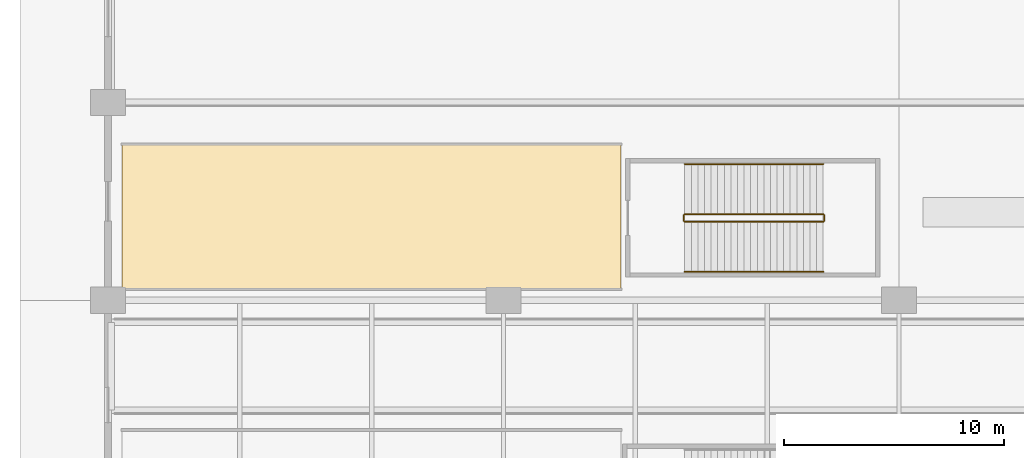
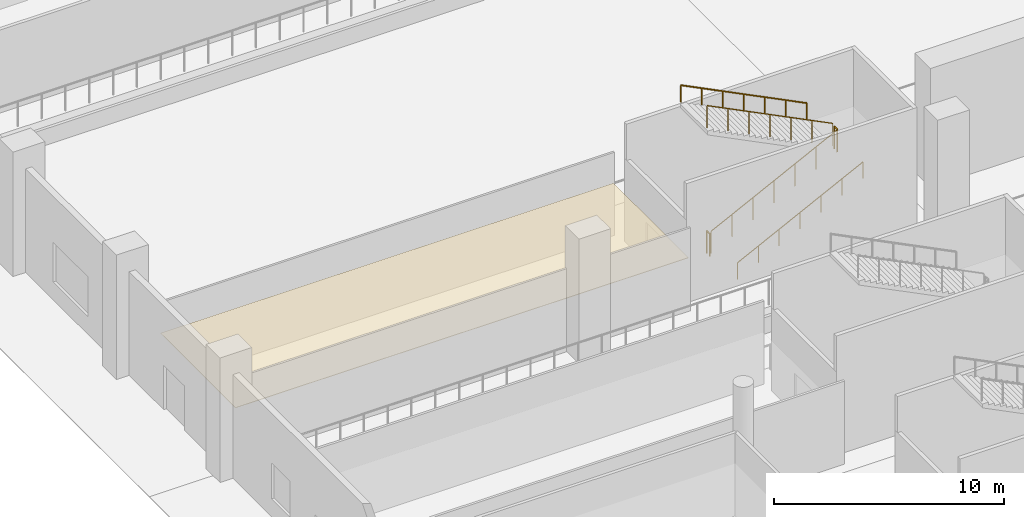
# One storey, part 43 of 65: 6 railings, 1 covering.
"""IFC4 building model written with IfcOpenShell, lengths in metres."""

from ifc_helpers import new_model, si_unit, direction, frame, origin, origin_2d, place, context, subcontext, project, spatial, polyline, circle, outline, extrude, material, layer, layer_set, type_object, element, save


model = new_model("IFC4")

# Units and contexts
model_context = context("Model", 3, precision=1e-05, world=origin(), true_north=direction((0.0, 1.0)))
body_context = subcontext(model_context, "Body", "Model", "MODEL_VIEW")
ifc_project = project(units=[si_unit("LENGTHUNIT", "METRE"), si_unit("AREAUNIT", "SQUARE_METRE"), si_unit("VOLUMEUNIT", "CUBIC_METRE"), si_unit("PLANEANGLEUNIT", "RADIAN"), si_unit("MASSUNIT", "GRAM", prefix="KILO")], contexts=[model_context])

# Site, building, storey
site_placement = place(None, origin())
site = spatial("IfcSite", under=ifc_project, at=site_placement, CompositionType="ELEMENT")
building_placement = place(site_placement, origin())
building = spatial("IfcBuilding", under=site, at=building_placement, Name="Chuanluo Vaults Station", CompositionType="ELEMENT")
storey_placement = place(building_placement, origin())
storey = spatial("IfcBuildingStorey", under=building, at=storey_placement, Name="L00", CompositionType="ELEMENT", Elevation=0.0)

# Covering
ifc_material_1 = material(Name="Acoustic mineral-fibre tile")
ifc_layer = layer(ifc_material_1, 0.02490234375)
ifc_layer_set = layer_set([ifc_layer], Name="Acoustic mineral-fibre tile")
covering_type = type_object("IfcCoveringType", Name="COV-CEIL-TILE", PredefinedType="CEILING", material=ifc_layer_set)
covering_placement = place(storey_placement, frame((0.0, 0.0, 2.75)))
element("IfcCovering", 1, at=covering_placement, inside=storey, type_object=covering_type, Name="L00-EX10 suspended acoustic ceiling", PredefinedType="CEILING", context=body_context, shape_type="SweptSolid", body=[
    extrude(outline(polyline([(0.639892578125, 68.0400390625), (23.360107421875, 68.0400390625), (23.360107421875, 74.56005859375), (0.639892578125, 74.56005859375), (0.639892578125, 68.0400390625)])), origin(), (0.0, 0.0, 1.0), 0.02490234375),
])

# Railings
ifc_material_2 = material(Name="Tempered laminated balustrade glass", Category="glass")
railing_type_1 = type_object("IfcRailingType", Name="RLG-GUARD-1200", PredefinedType="BALUSTRADE", material=ifc_material_2)
railing_1_placement = place(storey_placement, frame((26.25, 71.074951171875, 0.14990234375)))
element("IfcRailing", 2, at=railing_1_placement, inside=storey, type_object=railing_type_1, Name="L00 ST-10 stair guard 1", PredefinedType="BALUSTRADE", context=body_context, shape_type="SweptSolid", body=[
    extrude(circle(Radius=0.02392578125, at=origin_2d()), frame((0.0, 0.0, 1.17578125), z_axis=(0.894420258746, 0.0, 0.44722745974), x_axis=(0.0, 1.0, 0.0)), (0.0, 0.0, 1.0), 7.043701171875),
    extrude(circle(Radius=0.02099609375, at=origin_2d()), origin(), (0.0, 0.0, 1.0), 1.15185546875),
    extrude(circle(Radius=0.02099609375, at=origin_2d()), frame((1.050048828125, 0.0, 0.52490234375)), (0.0, 0.0, 1.0), 1.15185546875),
    extrude(circle(Radius=0.02099609375, at=origin_2d()), frame((2.10009765625, 0.0, 1.050048828125)), (0.0, 0.0, 1.0), 1.15185546875),
    extrude(circle(Radius=0.02099609375, at=origin_2d()), frame((3.14990234375, 0.0, 1.5751953125)), (0.0, 0.0, 1.0), 1.15185546875),
    extrude(circle(Radius=0.02099609375, at=origin_2d()), frame((4.199951171875, 0.0, 2.10009765625)), (0.0, 0.0, 1.0), 1.15185546875),
    extrude(circle(Radius=0.02099609375, at=origin_2d()), frame((5.25, 0.0, 2.625)), (0.0, 0.0, 1.0), 1.15185546875),
    extrude(circle(Radius=0.02099609375, at=origin_2d()), frame((6.300048828125, 0.0, 3.150146484375)), (0.0, 0.0, 1.0), 1.15185546875),
])
railing_2_placement = place(storey_placement, frame((32.60009765625, 71.125, 3.300048828125)))
element("IfcRailing", 3, at=railing_2_placement, inside=storey, type_object=railing_type_1, Name="L00 ST-10 stair guard 2", PredefinedType="BALUSTRADE", context=body_context, shape_type="SweptSolid", body=[
    extrude(circle(Radius=0.02392578125, at=origin_2d()), frame((0.0, 0.0, 1.17578125), z_axis=(0.0, 1.0, 0.0), x_axis=(-1.0, 0.0, 0.0)), (0.0, 0.0, 1.0), 0.25),
    extrude(circle(Radius=0.02099609375, at=origin_2d()), origin(), (0.0, 0.0, 1.0), 1.15185546875),
    extrude(circle(Radius=0.02099609375, at=origin_2d()), frame((0.0, 0.25, 0.0)), (0.0, 0.0, 1.0), 1.15185546875),
])
railing_3_placement = place(storey_placement, frame((32.550048828125, 71.425048828125, 3.449951171875)))
element("IfcRailing", 4, at=railing_3_placement, inside=storey, type_object=railing_type_1, Name="L00 ST-10 stair guard 3", PredefinedType="BALUSTRADE", context=body_context, shape_type="SweptSolid", body=[
    extrude(circle(Radius=0.02392578125, at=origin_2d()), frame((0.0, 0.0, 1.17578125), z_axis=(-0.894420258746, 0.0, 0.44722745974), x_axis=(0.0, -1.0, 0.0)), (0.0, 0.0, 1.0), 7.043701171875),
    extrude(circle(Radius=0.02099609375, at=origin_2d()), origin(), (0.0, 0.0, 1.0), 1.15185546875),
    extrude(circle(Radius=0.02099609375, at=origin_2d()), frame((-1.050048828125, 0.0, 0.52490234375)), (0.0, 0.0, 1.0), 1.15185546875),
    extrude(circle(Radius=0.02099609375, at=origin_2d()), frame((-2.10009765625, 0.0, 1.050048828125)), (0.0, 0.0, 1.0), 1.15185546875),
    extrude(circle(Radius=0.02099609375, at=origin_2d()), frame((-3.14990234375, 0.0, 1.5751953125)), (0.0, 0.0, 1.0), 1.15185546875),
    extrude(circle(Radius=0.02099609375, at=origin_2d()), frame((-4.199951171875, 0.0, 2.10009765625)), (0.0, 0.0, 1.0), 1.15185546875),
    extrude(circle(Radius=0.02099609375, at=origin_2d()), frame((-5.25, 0.0, 2.625)), (0.0, 0.0, 1.0), 1.15185546875),
    extrude(circle(Radius=0.02099609375, at=origin_2d()), frame((-6.300048828125, 0.0, 3.150146484375)), (0.0, 0.0, 1.0), 1.15185546875),
])
railing_4_placement = place(storey_placement, frame((26.199951171875, 71.125, 0.0)))
element("IfcRailing", 5, at=railing_4_placement, inside=storey, type_object=railing_type_1, Name="L00 ST-10 stair guard 4", PredefinedType="BALUSTRADE", context=body_context, shape_type="SweptSolid", body=[
    extrude(circle(Radius=0.02392578125, at=origin_2d()), frame((0.0, 0.0, 1.17578125), z_axis=(0.0, 1.0, 0.0), x_axis=(-1.0, 0.0, 0.0)), (0.0, 0.0, 1.0), 0.25),
    extrude(circle(Radius=0.02099609375, at=origin_2d()), origin(), (0.0, 0.0, 1.0), 1.15185546875),
    extrude(circle(Radius=0.02099609375, at=origin_2d()), frame((0.0, 0.25, 0.0)), (0.0, 0.0, 1.0), 1.15185546875),
])
ifc_material_3 = material(Name="Brushed stainless steel 304", Category="steel")
railing_type_2 = type_object("IfcRailingType", Name="RLG-HAND-900", PredefinedType="HANDRAIL", material=ifc_material_3)
railing_5_placement = place(storey_placement, frame((26.25, 68.800048828125, 0.14990234375)))
element("IfcRailing", 6, at=railing_5_placement, inside=storey, type_object=railing_type_2, Name="L00 ST-10 stair handrail 1", PredefinedType="HANDRAIL", context=body_context, shape_type="SweptSolid", body=[
    extrude(circle(Radius=0.02392578125, at=origin_2d()), frame((0.0, 0.0, 0.8759765625), z_axis=(0.894420258746, 0.0, 0.44722745974), x_axis=(0.0, 1.0, 0.0)), (0.0, 0.0, 1.0), 7.043701171875),
    extrude(circle(Radius=0.02099609375, at=origin_2d()), origin(), (0.0, 0.0, 1.0), 0.851806640625),
    extrude(circle(Radius=0.02099609375, at=origin_2d()), frame((1.050048828125, 0.0, 0.52490234375)), (0.0, 0.0, 1.0), 0.851806640625),
    extrude(circle(Radius=0.02099609375, at=origin_2d()), frame((2.10009765625, 0.0, 1.050048828125)), (0.0, 0.0, 1.0), 0.851806640625),
    extrude(circle(Radius=0.02099609375, at=origin_2d()), frame((3.14990234375, 0.0, 1.5751953125)), (0.0, 0.0, 1.0), 0.851806640625),
    extrude(circle(Radius=0.02099609375, at=origin_2d()), frame((4.199951171875, 0.0, 2.10009765625)), (0.0, 0.0, 1.0), 0.851806640625),
    extrude(circle(Radius=0.02099609375, at=origin_2d()), frame((5.25, 0.0, 2.625)), (0.0, 0.0, 1.0), 0.851806640625),
    extrude(circle(Radius=0.02099609375, at=origin_2d()), frame((6.300048828125, 0.0, 3.150146484375)), (0.0, 0.0, 1.0), 0.851806640625),
])
railing_6_placement = place(storey_placement, frame((32.550048828125, 73.699951171875, 3.449951171875)))
element("IfcRailing", 7, at=railing_6_placement, inside=storey, type_object=railing_type_2, Name="L00 ST-10 stair handrail 2", PredefinedType="HANDRAIL", context=body_context, shape_type="SweptSolid", body=[
    extrude(circle(Radius=0.02392578125, at=origin_2d()), frame((0.0, 0.0, 0.8759765625), z_axis=(-0.894420258746, 0.0, 0.44722745974), x_axis=(0.0, -1.0, 0.0)), (0.0, 0.0, 1.0), 7.043701171875),
    extrude(circle(Radius=0.02099609375, at=origin_2d()), origin(), (0.0, 0.0, 1.0), 0.851806640625),
    extrude(circle(Radius=0.02099609375, at=origin_2d()), frame((-1.050048828125, 0.0, 0.52490234375)), (0.0, 0.0, 1.0), 0.851806640625),
    extrude(circle(Radius=0.02099609375, at=origin_2d()), frame((-2.10009765625, 0.0, 1.050048828125)), (0.0, 0.0, 1.0), 0.851806640625),
    extrude(circle(Radius=0.02099609375, at=origin_2d()), frame((-3.14990234375, 0.0, 1.5751953125)), (0.0, 0.0, 1.0), 0.851806640625),
    extrude(circle(Radius=0.02099609375, at=origin_2d()), frame((-4.199951171875, 0.0, 2.10009765625)), (0.0, 0.0, 1.0), 0.851806640625),
    extrude(circle(Radius=0.02099609375, at=origin_2d()), frame((-5.25, 0.0, 2.625)), (0.0, 0.0, 1.0), 0.851806640625),
    extrude(circle(Radius=0.02099609375, at=origin_2d()), frame((-6.300048828125, 0.0, 3.150146484375)), (0.0, 0.0, 1.0), 0.851806640625),
])

save(model, "model.ifc")
